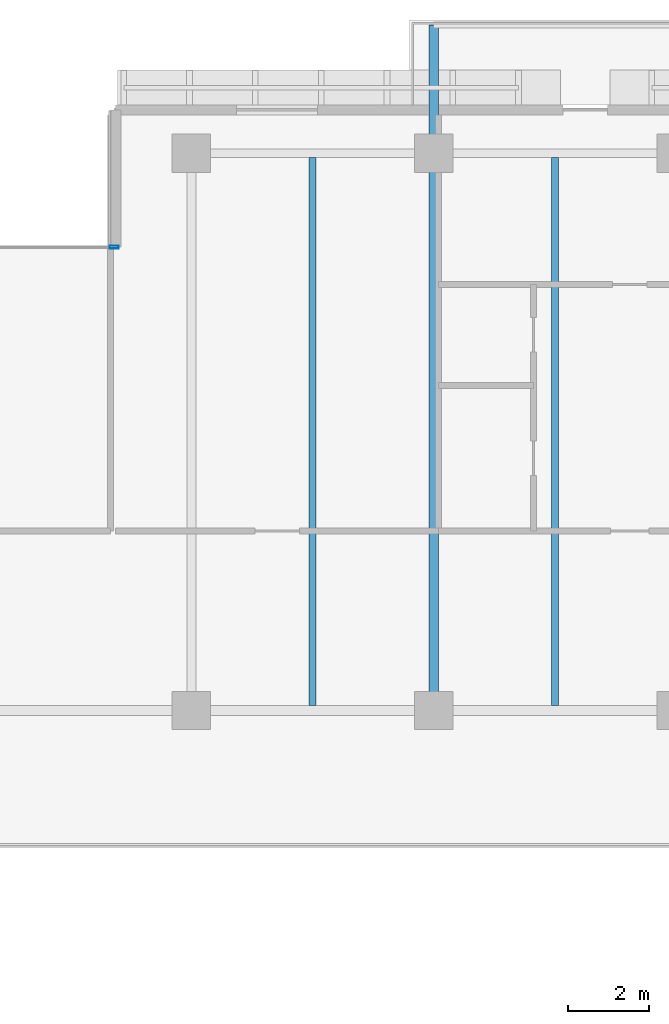
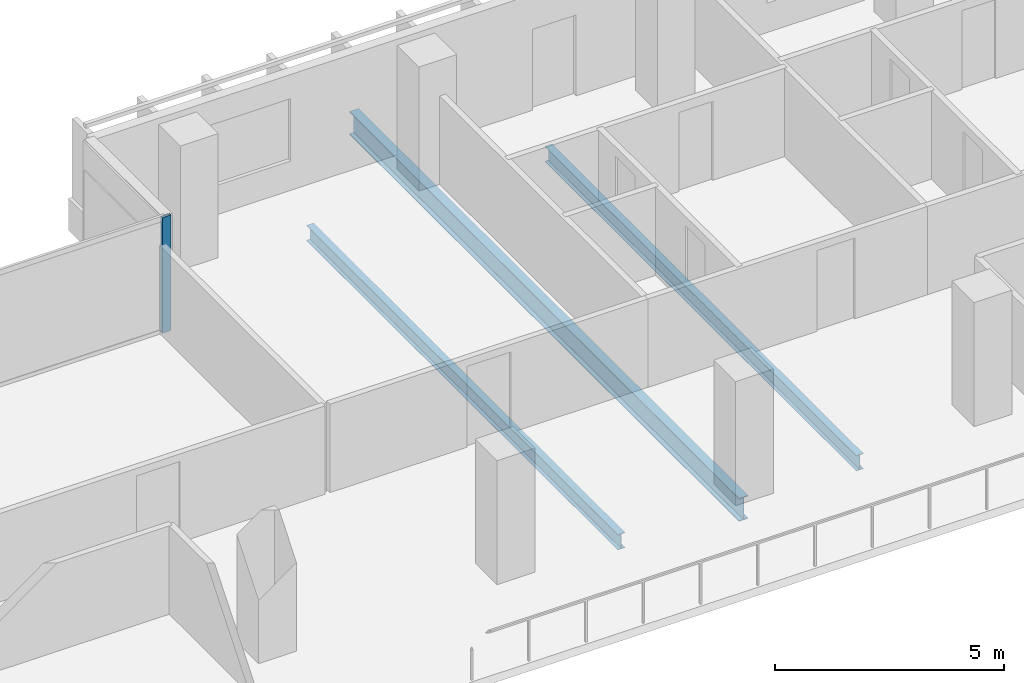
# One storey, part 8 of 23: 3 beams, 1 member, 1 element without a shape of its own.
"""IFC4 building model written with IfcOpenShell, lengths in metres."""

import ifcopenshell
import ifcopenshell.guid

model = None  # the IFC model being written
_history = None  # IfcOwnerHistory: only IFC2X3 demands one
_inside = {}  # id of a spatial element -> (the spatial element, [elements in it])
_under = {}  # id of a project, library or spatial element -> (it, [spatial elements below it])
_declared = {}  # id of a project -> (the project, [libraries it declares])
_typed = {}  # id of a type object -> (the type object, [elements of that type])
_made_of = {}  # id of a material, layer set ... -> (it, [elements and type objects made of it])


def new_model(schema):
    """Start an empty IFC model of exactly this schema.

    Asked for "IFC4X3", IfcOpenShell would pick the latest addendum, in which some entities
    have other attributes; the version numbers below select the first issue.
    IFC2X3 requires an IfcOwnerHistory on every rooted entity: one is made here for all.
    """
    global model, _history
    if schema == "IFC4X3":
        model = ifcopenshell.file(schema_version=(4, 3, 0, 0))
    else:
        model = ifcopenshell.file(schema=schema)
    _inside.clear()
    _under.clear()
    _declared.clear()
    _typed.clear()
    _made_of.clear()
    _history = None
    if model.schema == "IFC2X3":
        org = make("IfcOrganization", Name="unknown")
        user = make(
            "IfcPersonAndOrganization",
            ThePerson=make("IfcPerson", FamilyName="unknown"),
            TheOrganization=org,
        )
        app = make(
            "IfcApplication",
            ApplicationDeveloper=org,
            Version="unknown",
            ApplicationFullName="unknown",
            ApplicationIdentifier="unknown",
        )
        _history = make(
            "IfcOwnerHistory",
            OwningUser=user,
            OwningApplication=app,
            ChangeAction="ADDED",
            CreationDate=0,
        )
    return model


def make(cls, **values):
    """One entity of the class cls with the attributes given. An attribute that is None is left unset."""
    return model.create_entity(
        cls, **{name: value for name, value in values.items() if value is not None}
    )


def rooted(cls, **values):
    """An entity with a GlobalId (a new one), such as an element, a storey or a relation."""
    return make(cls, GlobalId=ifcopenshell.guid.new(), OwnerHistory=_history, **values)


def si_unit(unit_type, name, prefix=None):
    """IfcSIUnit, for example si_unit("LENGTHUNIT", "METRE", prefix="MILLI")."""
    return make("IfcSIUnit", UnitType=unit_type, Prefix=prefix, Name=name)


def assignment(units):
    """IfcUnitAssignment: the units of a project."""
    return None if units is None else make("IfcUnitAssignment", Units=units)


def point(xyz):
    """IfcCartesianPoint."""
    return None if xyz is None else make("IfcCartesianPoint", Coordinates=xyz)


def direction(xyz):
    """IfcDirection."""
    return None if xyz is None else make("IfcDirection", DirectionRatios=xyz)


def frame(location, z_axis=None, x_axis=None):
    """IfcAxis2Placement3D, a coordinate frame: its origin and axes. An axis left out is left unset."""
    return make(
        "IfcAxis2Placement3D",
        Location=point(location),
        Axis=direction(z_axis),
        RefDirection=direction(x_axis),
    )


def frame_2d(location, x_axis=None):
    """IfcAxis2Placement2D, a coordinate frame in the plane: its origin and x axis."""
    return make(
        "IfcAxis2Placement2D", Location=point(location), RefDirection=direction(x_axis)
    )


def origin():
    """The frame at (0, 0, 0) with its axes left unset."""
    return frame((0.0, 0.0, 0.0))


def origin_2d():
    """The frame at (0, 0) in the plane with its x axis left unset."""
    return frame_2d((0.0, 0.0))


def place(relative_to, where):
    """IfcLocalPlacement: puts the frame where relative to a parent placement (None: the world)."""
    return make(
        "IfcLocalPlacement", PlacementRelTo=relative_to, RelativePlacement=where
    )


def context(
    kind, dimensions, precision=None, world=None, true_north=None, identifier=None
):
    """IfcGeometricRepresentationContext, for example the 3D "Model" context."""
    return make(
        "IfcGeometricRepresentationContext",
        ContextIdentifier=identifier,
        ContextType=kind,
        CoordinateSpaceDimension=dimensions,
        Precision=precision,
        WorldCoordinateSystem=world,
        TrueNorth=true_north,
    )


def subcontext(parent, identifier, kind, view, scale=None):
    """IfcGeometricRepresentationSubContext, for example "Body" below "Model"."""
    return make(
        "IfcGeometricRepresentationSubContext",
        ContextIdentifier=identifier,
        ContextType=kind,
        ParentContext=parent,
        TargetScale=scale,
        TargetView=view,
    )


def project(units=None, contexts=None):
    """IfcProject with its units and contexts."""
    return rooted(
        "IfcProject",
        Name="project",
        RepresentationContexts=contexts,
        UnitsInContext=assignment(units),
    )


def spatial(cls, under=None, at=None, **own):
    """A site, building, storey or space (cls), placed at a placement, below another one or the project."""
    s = rooted(cls, ObjectPlacement=at, **own)
    if under is not None:
        _under.setdefault(under.id(), (under, []))[1].append(s)
    return s


def profile(cls, at=None, kind="AREA", **sizes):
    """A parametric profile (cls). Its sizes go by their IFC names, for example OverallWidth=200.0."""
    return make(cls, ProfileType=kind, Position=at, **sizes)


def hollow_rectangle(**sizes):
    """IfcRectangleHollowProfileDef."""
    return profile("IfcRectangleHollowProfileDef", **sizes)


def i_section(**sizes):
    """IfcIShapeProfileDef."""
    return profile("IfcIShapeProfileDef", **sizes)


def extrude(swept, where, along, depth):
    """IfcExtrudedAreaSolid: the profile swept, set in the frame where, extruded along a direction by depth."""
    return make(
        "IfcExtrudedAreaSolid",
        SweptArea=swept,
        Position=where,
        ExtrudedDirection=direction(along),
        Depth=depth,
    )


def shape(context_of_items, identifier, shape_type, items):
    """IfcShapeRepresentation: the items that make up one representation, for example the "Body"."""
    return make(
        "IfcShapeRepresentation",
        ContextOfItems=context_of_items,
        RepresentationIdentifier=identifier,
        RepresentationType=shape_type,
        Items=items,
    )


def material(Name=None, Category=None):
    """IfcMaterial."""
    return make("IfcMaterial", Name=Name, Category=Category)


def layer(
    of_material, thickness, ventilated=None, Name=None, Category=None, Priority=None
):
    """IfcMaterialLayer: one layer of a wall or slab, of a material (None: an air gap)."""
    return make(
        "IfcMaterialLayer",
        Material=of_material,
        LayerThickness=thickness,
        IsVentilated=ventilated,
        Name=Name,
        Category=Category,
        Priority=Priority,
    )


def layer_set(layers, Name=None):
    """IfcMaterialLayerSet."""
    return make("IfcMaterialLayerSet", MaterialLayers=layers, LayerSetName=Name)


def material_profile(
    of_material, cross_section, Name=None, Category=None, Priority=None
):
    """IfcMaterialProfile: a cross section and its material."""
    return make(
        "IfcMaterialProfile",
        Name=Name,
        Material=of_material,
        Profile=cross_section,
        Priority=Priority,
        Category=Category,
    )


def profile_set(profiles, Name=None, composite=None):
    """IfcMaterialProfileSet."""
    return make(
        "IfcMaterialProfileSet",
        Name=Name,
        MaterialProfiles=profiles,
        CompositeProfile=composite,
    )


def made_of(thing, what):
    """Note that an element or type object is made of a material, layer set ...; save() writes the relation."""
    if what is not None:
        _made_of.setdefault(what.id(), (what, []))[1].append(thing)
    return thing


def type_object(cls, material=None, **own):
    """A type object (cls), such as IfcWallType, which elements share."""
    return made_of(rooted(cls, **own), material)


def element(
    cls,
    number,
    at=None,
    inside=None,
    cuts=None,
    type_object=None,
    material=None,
    context=None,
    identifier="Body",
    shape_type=None,
    held_by="IfcProductDefinitionShape",
    body=None,
    shapes=None,
    **own,
):
    """One element of the class cls, such as IfcWall. Its Tag is "e" and its number.

    at: its placement. inside: the storey or other place that contains it. cuts: it is an
    opening in that element (IfcRelVoidsElement). A single representation is given by context,
    identifier, shape_type and body (its items); several are given by shapes. held_by: the class
    of the entity that holds the representations. save() writes the other relations.
    """
    e = rooted(cls, Tag="e%d" % number, ObjectPlacement=at, **own)
    if body is not None:
        shapes = [shape(context, identifier, shape_type, body)]
    if shapes is not None:
        e.Representation = make(held_by, Representations=shapes)
    if inside is not None:
        _inside.setdefault(inside.id(), (inside, []))[1].append(e)
    if cuts is not None:
        rooted(
            "IfcRelVoidsElement", RelatingBuildingElement=cuts, RelatedOpeningElement=e
        )
    if type_object is not None:
        _typed.setdefault(type_object.id(), (type_object, []))[1].append(e)
    return made_of(e, material)


def aggregate(whole, parts):
    """IfcRelAggregates: a whole, such as a stair, and the parts it consists of."""
    return rooted("IfcRelAggregates", RelatingObject=whole, RelatedObjects=parts)


def save(model, path):
    """Write the relations noted so far, then the file.

    IfcRelAggregates (storeys below a building ...), IfcRelContainedInSpatialStructure (elements
    in a storey), IfcRelDefinesByType, IfcRelAssociatesMaterial and IfcRelDeclares: one each for
    every whole, place, type object, material and project.
    """
    for whole, parts in _under.values():
        aggregate(whole, parts)
    for where, things in _inside.values():
        rooted(
            "IfcRelContainedInSpatialStructure",
            RelatedElements=things,
            RelatingStructure=where,
        )
    for kind, things in _typed.values():
        rooted("IfcRelDefinesByType", RelatedObjects=things, RelatingType=kind)
    for what, things in _made_of.values():
        rooted("IfcRelAssociatesMaterial", RelatedObjects=things, RelatingMaterial=what)
    for by, libraries in _declared.values():
        rooted("IfcRelDeclares", RelatingContext=by, RelatedDefinitions=libraries)
    model.write(path)


model = new_model("IFC4")

# Units and contexts
model_context = context("Model", 3, precision=1e-05, world=origin(), true_north=direction((0.0, 1.0)))
body_context = subcontext(model_context, "Body", "Model", "MODEL_VIEW")
ifc_project = project(units=[si_unit("LENGTHUNIT", "METRE"), si_unit("AREAUNIT", "SQUARE_METRE"), si_unit("VOLUMEUNIT", "CUBIC_METRE"), si_unit("PLANEANGLEUNIT", "RADIAN"), si_unit("MASSUNIT", "GRAM", prefix="KILO")], contexts=[model_context])

# Site, building, storey
site_placement = place(None, origin())
site = spatial("IfcSite", under=ifc_project, at=site_placement, CompositionType="ELEMENT")
building_placement = place(site_placement, origin())
building = spatial("IfcBuilding", under=site, at=building_placement, Name="Tanjung Sevakor Pilgrim Tower", CompositionType="ELEMENT")
storey_placement = place(building_placement, frame((0.0, 0.0, 105.27001953125)))
storey = spatial("IfcBuildingStorey", under=building, at=storey_placement, Name="L29", CompositionType="ELEMENT", Elevation=105.27001953125)

# Beams
ifc_material_1 = material(Name="Steel S355J2", Category="steel")
ifc_material_profile_1 = material_profile(ifc_material_1, i_section(OverallWidth=0.230224609375, OverallDepth=0.6171875, WebThickness=0.01318359375, FlangeThickness=0.022216796875, FilletRadius=0.0126953125, at=origin_2d()))
ifc_profile_set_1 = profile_set([ifc_material_profile_1], Name="Steel S355J2")
beam_type_1 = type_object("IfcBeamType", Name="BM-B-G3-UB_610x229x140", PredefinedType="BEAM", material=ifc_profile_set_1)
beam_placement = place(storey_placement, frame((60.0, 42.60009765625, -0.528564453125), z_axis=(0.0, 1.0, 0.0), x_axis=(-1.0, 0.0, 0.0)))
element("IfcBeam", 1, at=beam_placement, inside=storey, type_object=beam_type_1, Name="L29 Balcony Cantilever Beam MAIN-N2-1", PredefinedType="BEAM", context=body_context, shape_type="SweptSolid", body=[
    extrude(i_section(OverallWidth=0.230224609375, OverallDepth=0.6171875, WebThickness=0.01318359375, FlangeThickness=0.022216796875, FilletRadius=0.0126953125, at=origin_2d()), origin(), (0.0, 0.0, 1.0), 16.97998046875),
])
ifc_material_2 = material(Name="Steel S355J2", Category="steel")
ifc_material_profile_2 = material_profile(ifc_material_2, i_section(OverallWidth=0.1787109375, OverallDepth=0.409423828125, WebThickness=0.0087890625, FlangeThickness=0.014404296875, FilletRadius=0.01025390625, at=origin_2d()))
ifc_profile_set_2 = profile_set([ifc_material_profile_2], Name="Steel S355J2")
beam_type_2 = type_object("IfcBeamType", Name="BM-B-J3-UB_406x178x67", PredefinedType="JOIST", material=ifc_profile_set_2)
for number, where, z_axis, x_axis, name in (
    (2, (57.0, 42.727294921875, -0.4248046875), (0.0, 1.0, 0.0), (-1.0, 0.0, 0.0), "L29 MAIN Joist 015"),
    (3, (63.0, 42.727294921875, -0.4248046875), (0.0, 1.0, 0.0), (-1.0, 0.0, 0.0), "L29 MAIN Joist 017"),
):
    element("IfcBeam", number, at=place(storey_placement, frame(where, z_axis=z_axis, x_axis=x_axis)), inside=storey, type_object=beam_type_2, Name=name, PredefinedType="JOIST", context=body_context, shape_type="SweptSolid", body=[
        extrude(i_section(OverallWidth=0.1787109375, OverallDepth=0.409423828125, WebThickness=0.0087890625, FlangeThickness=0.014404296875, FilletRadius=0.01025390625, at=origin_2d()), origin(), (0.0, 0.0, 1.0), 13.57275390625),
    ])

# Curtain wall, member
ifc_material_3 = material(Name="Aluminium 6063-T6 and Low-E Glass", Category="aluminium")
ifc_layer = layer(ifc_material_3, 0.179931640625)
ifc_layer_set = layer_set([ifc_layer], Name="CW-SYS-CLEFT")
curtain_wall_type = type_object("IfcCurtainWallType", Name="CW-SYS-CLEFT", PredefinedType="NOTDEFINED", material=ifc_layer_set)
curtain_wall_placement = place(storey_placement, origin())
curtain_wall = element("IfcCurtainWall", 4, at=curtain_wall_placement, inside=storey, type_object=curtain_wall_type, Name="L29 Curtain Wall CW-CLF-L29-10", PredefinedType="NOTDEFINED")
ifc_material_4 = material(Name="Aluminium 6063-T6", Category="aluminium")
ifc_material_profile_3 = material_profile(ifc_material_4, hollow_rectangle(XDim=0.074951171875, YDim=0.219970703125, WallThickness=0.0048828125, at=origin_2d()))
ifc_profile_set_3 = profile_set([ifc_material_profile_3], Name="Aluminium 6063-T6")
member_type = type_object("IfcMemberType", Name="TYPE-CWM-2", PredefinedType="MULLION", material=ifc_profile_set_3)
member_placement = place(storey_placement, frame((52.08740234375, 54.074951171875, 0.0), z_axis=(0.0, 0.0, 1.0), x_axis=(0.0, -1.0, 0.0)))
member = element("IfcMember", 5, at=member_placement, type_object=member_type, Name="CW-CLF mullion 1", PredefinedType="MULLION", context=body_context, shape_type="SweptSolid", body=[
    extrude(hollow_rectangle(XDim=0.074951171875, YDim=0.219970703125, WallThickness=0.0048828125, at=origin_2d()), origin(), (0.0, 0.0, 1.0), 3.080078125),
])
aggregate(curtain_wall, [member])

save(model, "model.ifc")
